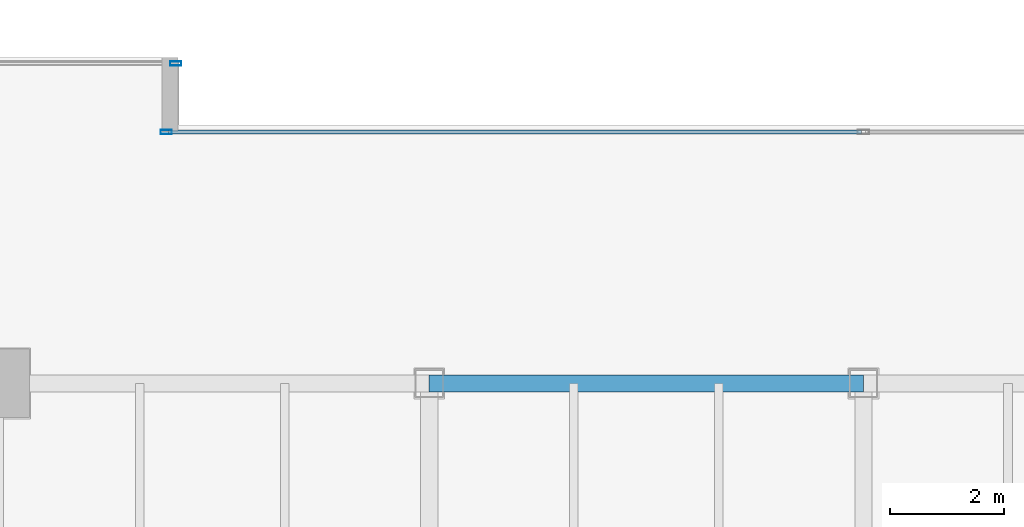
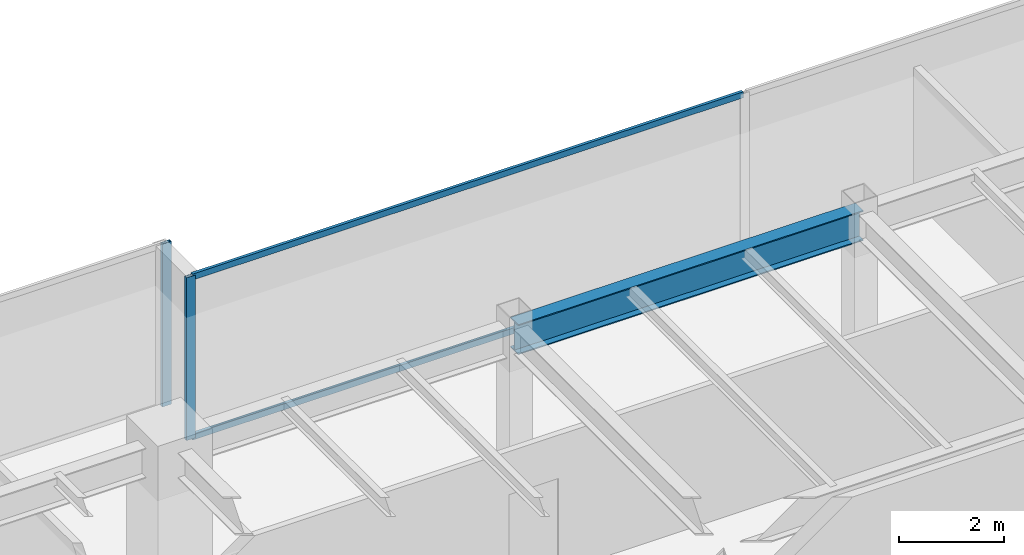
# One storey, part 16 of 34: 4 members, 1 beam, 2 elements without a shape of their own.
"""IFC4 building model written with IfcOpenShell, lengths in metres."""

from ifc_helpers import new_model, si_unit, direction, frame, origin, origin_2d, place, context, subcontext, project, spatial, hollow_rectangle, i_section, extrude, source, transform, mapped, material, layer, layer_set, material_profile, profile_set, type_object, type_shapes, element, aggregate, save


model = new_model("IFC4")

# Units and contexts
model_context = context("Model", 3, precision=1e-05, world=origin(), true_north=direction((0.0, 1.0)))
body_context = subcontext(model_context, "Body", "Model", "MODEL_VIEW")
ifc_project = project(units=[si_unit("LENGTHUNIT", "METRE"), si_unit("AREAUNIT", "SQUARE_METRE"), si_unit("VOLUMEUNIT", "CUBIC_METRE"), si_unit("PLANEANGLEUNIT", "RADIAN"), si_unit("MASSUNIT", "GRAM", prefix="KILO")], contexts=[model_context])

# Site, building, storey
site_placement = place(None, origin())
site = spatial("IfcSite", under=ifc_project, at=site_placement, CompositionType="ELEMENT")
building_placement = place(site_placement, origin())
building = spatial("IfcBuilding", under=site, at=building_placement, Name="Haelvirn Gate Laboratories", CompositionType="ELEMENT")
storey_placement = place(building_placement, frame((0.0, 0.0, 158.39990234375)))
storey = spatial("IfcBuildingStorey", under=building, at=storey_placement, Name="L38", CompositionType="ELEMENT", Elevation=158.39990234375)

# Beam
ifc_material_1 = material(Name="Steel SM355", Category="steel")
ifc_material_profile_1 = material_profile(ifc_material_1, i_section(OverallWidth=0.300048828125, OverallDepth=0.699951171875, WebThickness=0.012939453125, FlangeThickness=0.02392578125, at=origin_2d()), Name="H-700x300x13x24")
ifc_profile_set_1 = profile_set([ifc_material_profile_1], Name="Steel SM355")
beam_type = type_object("IfcBeamType", Name="BM-G-700", PredefinedType="BEAM", material=ifc_profile_set_1)
shared_shape_1 = source(origin(), body_context, "Body", "SweptSolid", [
    extrude(i_section(OverallWidth=0.300048828125, OverallDepth=0.699951171875, WebThickness=0.012939453125, FlangeThickness=0.02392578125, at=origin_2d()), origin(), (0.0, 0.0, 1.0), 7.599853515625),
])
type_shapes(beam_type, [shared_shape_1])
beam_placement = place(storey_placement, frame((29.800048828125, 41.60009765625, 3.440185546875), z_axis=(1.0, 0.0, 0.0), x_axis=(0.0, 1.0, 0.0)))
element("IfcBeam", 1, at=beam_placement, inside=storey, type_object=beam_type, Name="L38 Primary Girder Y41.6 (29.8-37.4)", PredefinedType="BEAM", context=body_context, shape_type="MappedRepresentation", body=[
    mapped(shared_shape_1, transform((0.0, 0.0, 0.0), scale=1.0)),
])

# Curtain wall, members
ifc_material_2 = material(Name="Anodised bronze unitised aluminium & triple low-E glass", Category="aluminium")
ifc_layer = layer(ifc_material_2, 0.179931640625, Name="CW-SYS-3")
ifc_layer_set = layer_set([ifc_layer], Name="Anodised bronze unitised aluminium & triple low-E glass")
curtain_wall_type = type_object("IfcCurtainWallType", Name="CW-SYS-3", PredefinedType="NOTDEFINED", material=ifc_layer_set)
curtain_wall_1_placement = place(storey_placement, origin())
curtain_wall_1 = element("IfcCurtainWall", 2, at=curtain_wall_1_placement, inside=storey, type_object=curtain_wall_type, Name="L38 Unitised Curtain Wall CW-L38-P0-E12-1", PredefinedType="NOTDEFINED")
ifc_material_3 = material(Name="Extruded aluminium 6063-T6 (anodised bronze)", Category="aluminium")
ifc_material_profile_2 = material_profile(ifc_material_3, hollow_rectangle(XDim=0.06494140625, YDim=0.139892578125, WallThickness=0.00390625, at=origin_2d()), Name="CWT-140x65x4")
ifc_profile_set_2 = profile_set([ifc_material_profile_2], Name="Extruded aluminium 6063-T6 (anodised bronze)")
member_type_1 = type_object("IfcMemberType", Name="CWT-T140", PredefinedType="USERDEFINED", material=ifc_profile_set_2)
shared_shape_2 = source(origin(), body_context, "Body", "SweptSolid", [
    extrude(hollow_rectangle(XDim=0.06494140625, YDim=0.139892578125, WallThickness=0.00390625, at=origin_2d()), origin(), (0.0, 0.0, 1.0), 12.12744140625),
])
type_shapes(member_type_1, [shared_shape_2])
member_1_placement = place(storey_placement, frame((25.235107421875, 46.0, 0.03271484375), z_axis=(1.0, 0.0, 0.0), x_axis=(0.0, 1.0, 0.0)))
member_1 = element("IfcMember", 3, at=member_1_placement, type_object=member_type_1, Name="CW3 transom 1.1", ObjectType="TRANSOM", PredefinedType="USERDEFINED", context=body_context, shape_type="MappedRepresentation", body=[
    mapped(shared_shape_2, transform((0.0, 0.0, 0.0), scale=1.0)),
])
member_2_placement = place(storey_placement, frame((25.235107421875, 46.0, 3.757568359375), z_axis=(1.0, 0.0, 0.0), x_axis=(0.0, 1.0, 0.0)))
member_2 = element("IfcMember", 4, at=member_2_placement, type_object=member_type_1, Name="CW3 transom 1.2", ObjectType="TRANSOM", PredefinedType="USERDEFINED", context=body_context, shape_type="MappedRepresentation", body=[
    mapped(shared_shape_2, transform((0.0, 0.0, 0.0), scale=1.0)),
])
ifc_material_profile_3 = material_profile(ifc_material_3, hollow_rectangle(XDim=0.074951171875, YDim=0.199951171875, WallThickness=0.0048828125, at=origin_2d()), Name="CWM-200x75x5")
ifc_profile_set_3 = profile_set([ifc_material_profile_3], Name="Extruded aluminium 6063-T6 (anodised bronze)")
member_type_2 = type_object("IfcMemberType", Name="CWM-T200", PredefinedType="MULLION", material=ifc_profile_set_3)
shared_shape_3 = source(origin(), body_context, "Body", "SweptSolid", [
    extrude(hollow_rectangle(XDim=0.074951171875, YDim=0.199951171875, WallThickness=0.0048828125, at=origin_2d()), origin(), (0.0, 0.0, 1.0), 3.7900390625),
])
type_shapes(member_type_2, [shared_shape_3])
member_3_placement = place(storey_placement, frame((25.197509765625, 46.0, 0.0), z_axis=(0.0, 0.0, 1.0), x_axis=(0.0, 1.0, 0.0)))
member_3 = element("IfcMember", 5, at=member_3_placement, type_object=member_type_2, Name="CW3 mullion 1", PredefinedType="MULLION", context=body_context, shape_type="MappedRepresentation", body=[
    mapped(shared_shape_3, transform((0.0, 0.0, 0.0), scale=1.0)),
])
aggregate(curtain_wall_1, [member_3, member_1, member_2])

# Curtain wall, member
curtain_wall_2_placement = place(storey_placement, origin())
curtain_wall_2 = element("IfcCurtainWall", 6, at=curtain_wall_2_placement, inside=storey, type_object=curtain_wall_type, Name="L38 Unitised Curtain Wall CW-L38-P0-E14-1", PredefinedType="NOTDEFINED")
member_4_placement = place(storey_placement, frame((25.362548828125, 47.199951171875, 0.0), z_axis=(0.0, 0.0, 1.0), x_axis=(0.0, 1.0, 0.0)))
member_4 = element("IfcMember", 7, at=member_4_placement, type_object=member_type_2, Name="CW3 mullion 3", PredefinedType="MULLION", context=body_context, shape_type="MappedRepresentation", body=[
    mapped(shared_shape_3, transform((0.0, 0.0, 0.0), scale=1.0)),
])
aggregate(curtain_wall_2, [member_4])

save(model, "model.ifc")
